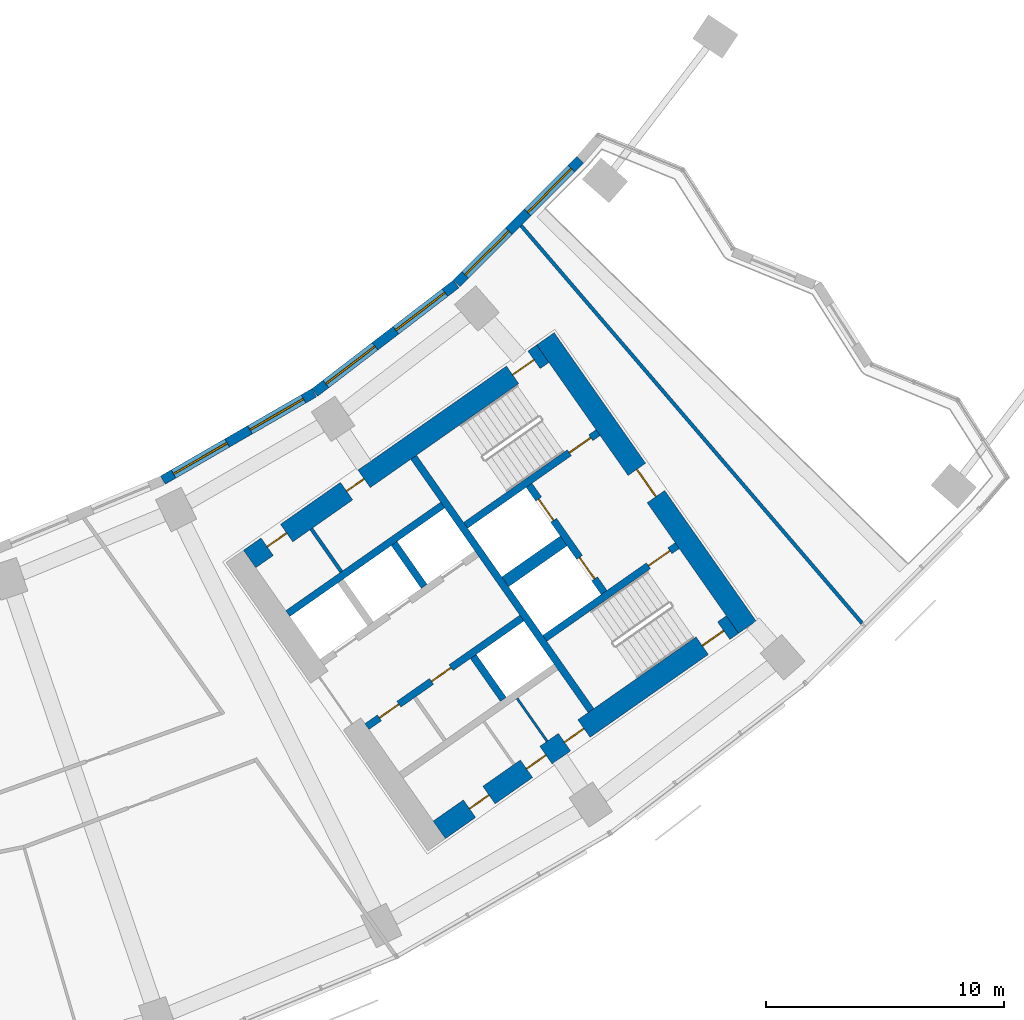
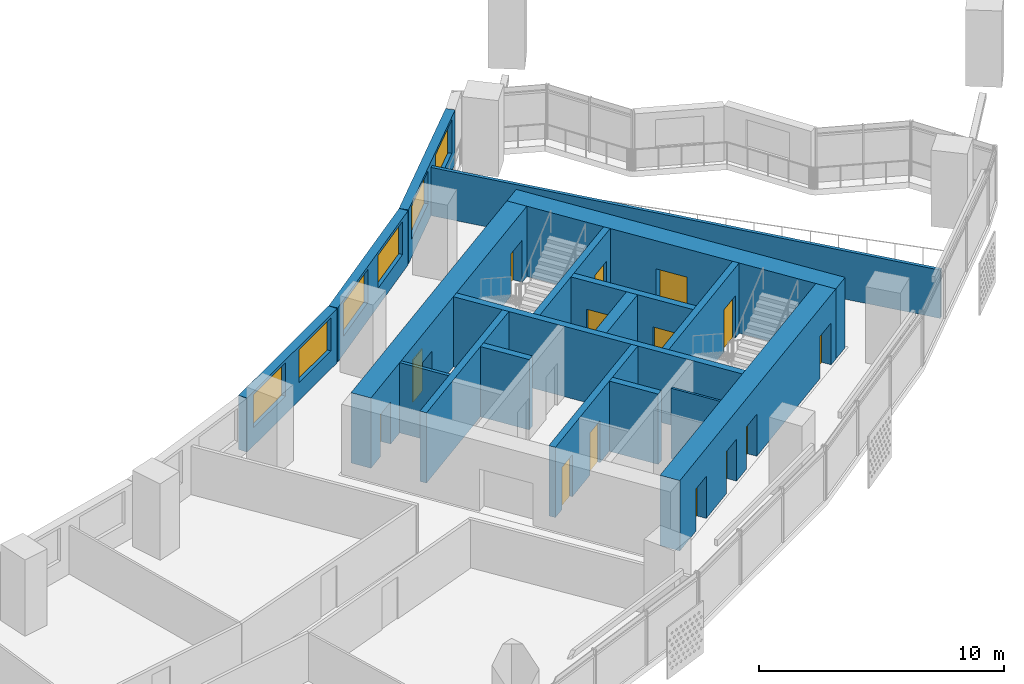
# One storey, part 7 of 30: 18 walls, 14 doors, 6 windows, 20 openings.
"""IFC4 building model written with IfcOpenShell, lengths in metres."""

from ifc_helpers import new_model, si_unit, direction, frame, frame_2d, origin, place, context, subcontext, project, spatial, rectangle, extrude, material, layer, layer_set, type_object, element, fill, save


model = new_model("IFC4")

# Units and contexts
model_context = context("Model", 3, precision=1e-05, world=origin(), true_north=direction((0.0, 1.0)))
body_context = subcontext(model_context, "Body", "Model", "MODEL_VIEW")
ifc_project = project(units=[si_unit("LENGTHUNIT", "METRE"), si_unit("AREAUNIT", "SQUARE_METRE"), si_unit("VOLUMEUNIT", "CUBIC_METRE"), si_unit("PLANEANGLEUNIT", "RADIAN"), si_unit("MASSUNIT", "GRAM", prefix="KILO")], contexts=[model_context])

# Site, building, storey
site_placement = place(None, origin())
site = spatial("IfcSite", under=ifc_project, at=site_placement, CompositionType="ELEMENT")
building_placement = place(site_placement, origin())
building = spatial("IfcBuilding", under=site, at=building_placement, Name="Qamariyya Broadcast Tower", CompositionType="ELEMENT")
storey_placement = place(building_placement, frame((0.0, 0.0, 98.699951171875)))
storey = spatial("IfcBuildingStorey", under=building, at=storey_placement, Name="L21", CompositionType="ELEMENT", Elevation=98.699951171875)

# Wall, opening, door
ifc_material_1 = material(Name="Concrete C70/85", Category="concrete")
ifc_layer_1 = layer(ifc_material_1, 0.89990234375)
ifc_layer_set_1 = layer_set([ifc_layer_1], Name="Core wall 900 mm Concrete C70/85")
wall_type_1 = type_object("IfcWallType", Name="Core wall 900 mm Concrete C70/85", PredefinedType="SHEAR", material=ifc_layer_set_1)
wall_1_placement = place(storey_placement, frame((49.778564453125, -57.191162109375, 0.0), z_axis=(0.0, 0.0, 1.0), x_axis=(-0.573577477574, 0.819151315216, 0.0)))
wall_1 = element("IfcWall", 1, at=wall_1_placement, inside=storey, type_object=wall_type_1, Name="k-E-L21-WH", PredefinedType="SHEAR", context=body_context, shape_type="SweptSolid", body=[
    extrude(rectangle(XDim=14.800048828125, YDim=0.89990234375, at=frame_2d((7.39990234375, 0.0))), origin(), (0.0, 0.0, 1.0), 3.5),
])
opening_1_placement = place(wall_1_placement, frame((6.699951171875, 0.0, 0.0)))
opening_1 = element("IfcOpeningElement", 2, at=opening_1_placement, cuts=wall_1, Name="Opening KD2-E1", PredefinedType="OPENING", context=body_context, shape_type="SweptSolid", body=[
    extrude(rectangle(XDim=1.39990234375, YDim=2.10009765625, at=frame_2d((0.699951171875, 1.050048828125))), frame((0.0, 0.4599609375, 0.0), z_axis=(0.0, -1.0, 0.0), x_axis=(1.0, 0.0, 0.0)), (0.0, 0.0, 1.0), 0.919921875),
])
ifc_material_2 = material(Name="Steel fire-resisting door leaf", Category="steel")
door_type_1 = type_object("IfcDoorType", Name="Fire-fighting lobby door KD2", OperationType="DOUBLE_DOOR_SINGLE_SWING", PredefinedType="DOOR", material=ifc_material_2)
door_1_placement = place(opening_1_placement, origin())
door_1 = element("IfcDoor", 3, at=door_1_placement, inside=storey, type_object=door_type_1, Name="k-E-L21-WH-D14", OperationType="DOUBLE_DOOR_SINGLE_SWING", OverallHeight=2.10009765625, OverallWidth=1.39990234375, PredefinedType="DOOR", context=body_context, shape_type="SweptSolid", body=[
    extrude(rectangle(XDim=1.39990234375, YDim=2.10009765625, at=frame_2d((0.699951171875, 1.050048828125))), frame((0.0, 0.02490234375, 0.0), z_axis=(0.0, -1.0, 0.0), x_axis=(1.0, 0.0, 0.0)), (0.0, 0.0, 1.0), 0.050048828125),
])
fill(opening_1, door_1)

# Wall, openings, doors
wall_2_placement = place(storey_placement, frame((28.8544921875, -54.32421875, 0.0), z_axis=(0.0, 0.0, 1.0), x_axis=(0.819145767589, 0.573585400304, 0.0)))
wall_2 = element("IfcWall", 4, at=wall_2_placement, inside=storey, type_object=wall_type_1, Name="k-E-L21-WI", PredefinedType="SHEAR", context=body_context, shape_type="SweptSolid", body=[
    extrude(rectangle(XDim=15.04541015625, YDim=0.89990234375, at=frame_2d((7.522705078125, 0.0))), origin(), (0.0, 0.0, 1.0), 3.5),
])
opening_2_placement = place(wall_2_placement, frame((0.89990234375, 0.0, 0.0)))
opening_2 = element("IfcOpeningElement", 5, at=opening_2_placement, cuts=wall_2, Name="Opening KD7-E1", PredefinedType="OPENING", context=body_context, shape_type="SweptSolid", body=[
    extrude(rectangle(XDim=1.0, YDim=2.10009765625, at=frame_2d((0.5, 1.050048828125))), frame((0.0, 0.4599609375, 0.0), z_axis=(0.0, -1.0, 0.0), x_axis=(1.0, 0.0, 0.0)), (0.0, 0.0, 1.0), 0.919921875),
])
opening_3_placement = place(wall_2_placement, frame((4.97509765625, 0.0, 0.0)))
opening_3 = element("IfcOpeningElement", 6, at=opening_3_placement, cuts=wall_2, Name="Opening KD5-E1", PredefinedType="OPENING", context=body_context, shape_type="SweptSolid", body=[
    extrude(rectangle(XDim=0.89990234375, YDim=2.10009765625, at=frame_2d((0.449951171875, 1.050048828125))), frame((0.0, 0.4599609375, 0.0), z_axis=(0.0, -1.0, 0.0), x_axis=(1.0, 0.0, 0.0)), (0.0, 0.0, 1.0), 0.919921875),
])
opening_4_placement = place(wall_2_placement, frame((13.495361328125, 0.0, 0.0)))
opening_4 = element("IfcOpeningElement", 7, at=opening_4_placement, cuts=wall_2, Name="Opening KD1-E1", PredefinedType="OPENING", context=body_context, shape_type="SweptSolid", body=[
    extrude(rectangle(XDim=1.10009765625, YDim=2.10009765625, at=frame_2d((0.550048828125, 1.050048828125))), frame((0.0, 0.4599609375, 0.0), z_axis=(0.0, -1.0, 0.0), x_axis=(1.0, 0.0, 0.0)), (0.0, 0.0, 1.0), 0.919921875),
])
door_type_2 = type_object("IfcDoorType", Name="Accessible toilet door KD7", OperationType="SINGLE_SWING_LEFT", PredefinedType="DOOR", material=ifc_material_2)
door_2_placement = place(opening_2_placement, origin())
door_2 = element("IfcDoor", 8, at=door_2_placement, inside=storey, type_object=door_type_2, Name="k-E-L21-WI-D7", OperationType="SINGLE_SWING_LEFT", OverallHeight=2.10009765625, OverallWidth=1.0, PredefinedType="DOOR", context=body_context, shape_type="SweptSolid", body=[
    extrude(rectangle(XDim=1.0, YDim=2.10009765625, at=frame_2d((0.5, 1.050048828125))), frame((0.0, 0.02490234375, 0.0), z_axis=(0.0, -1.0, 0.0), x_axis=(1.0, 0.0, 0.0)), (0.0, 0.0, 1.0), 0.050048828125),
])
fill(opening_2, door_2)
door_type_3 = type_object("IfcDoorType", Name="Stair door KD1", OperationType="SINGLE_SWING_LEFT", PredefinedType="DOOR", material=ifc_material_2)
door_3_placement = place(opening_4_placement, origin())
door_3 = element("IfcDoor", 9, at=door_3_placement, inside=storey, type_object=door_type_3, Name="k-E-L21-WI-D15", OperationType="SINGLE_SWING_RIGHT", OverallHeight=2.10009765625, OverallWidth=1.10009765625, PredefinedType="DOOR", context=body_context, shape_type="SweptSolid", body=[
    extrude(rectangle(XDim=1.10009765625, YDim=2.10009765625, at=frame_2d((0.550048828125, 1.050048828125))), frame((0.0, 0.02490234375, 0.0), z_axis=(0.0, -1.0, 0.0), x_axis=(1.0, 0.0, 0.0)), (0.0, 0.0, 1.0), 0.050048828125),
])
fill(opening_4, door_3)
door_type_4 = type_object("IfcDoorType", Name="Toilet door KD5", OperationType="SINGLE_SWING_LEFT", PredefinedType="DOOR", material=ifc_material_2)
door_4_placement = place(opening_3_placement, origin())
door_4 = element("IfcDoor", 10, at=door_4_placement, inside=storey, type_object=door_type_4, Name="k-E-L21-WI-D8", OperationType="SINGLE_SWING_RIGHT", OverallHeight=2.10009765625, OverallWidth=0.89990234375, PredefinedType="DOOR", context=body_context, shape_type="SweptSolid", body=[
    extrude(rectangle(XDim=0.89990234375, YDim=2.10009765625, at=frame_2d((0.449951171875, 1.050048828125))), frame((0.0, 0.02490234375, 0.0), z_axis=(0.0, -1.0, 0.0), x_axis=(1.0, 0.0, 0.0)), (0.0, 0.0, 1.0), 0.050048828125),
])
fill(opening_3, door_4)

wall_3_placement = place(storey_placement, frame((36.827392578125, -65.710205078125, 0.0), z_axis=(0.0, 0.0, 1.0), x_axis=(0.819153391756, 0.573574511963, 0.0)))
wall_3 = element("IfcWall", 11, at=wall_3_placement, inside=storey, type_object=wall_type_1, Name="k-E-L21-WO", PredefinedType="SHEAR", context=body_context, shape_type="SweptSolid", body=[
    extrude(rectangle(XDim=15.04541015625, YDim=0.89990234375, at=frame_2d((7.522705078125, 0.0))), origin(), (0.0, 0.0, 1.0), 3.5),
])
opening_5_placement = place(wall_3_placement, frame((1.550048828125, 0.0, 0.0)))
opening_5 = element("IfcOpeningElement", 12, at=opening_5_placement, cuts=wall_3, Name="Opening KD4-E2", PredefinedType="OPENING", context=body_context, shape_type="SweptSolid", body=[
    extrude(rectangle(XDim=1.0, YDim=2.10009765625, at=frame_2d((0.5, 1.050048828125))), frame((0.0, 0.4599609375, 0.0), z_axis=(0.0, -1.0, 0.0), x_axis=(1.0, 0.0, 0.0)), (0.0, 0.0, 1.0), 0.919921875),
])
opening_6_placement = place(wall_3_placement, frame((4.47509765625, 0.0, 0.0)))
opening_6 = element("IfcOpeningElement", 13, at=opening_6_placement, cuts=wall_3, Name="Opening KD4-E3", PredefinedType="OPENING", context=body_context, shape_type="SweptSolid", body=[
    extrude(rectangle(XDim=1.0, YDim=2.10009765625, at=frame_2d((0.5, 1.050048828125))), frame((0.0, 0.4599609375, 0.0), z_axis=(0.0, -1.0, 0.0), x_axis=(1.0, 0.0, 0.0)), (0.0, 0.0, 1.0), 0.919921875),
])
opening_7_placement = place(wall_3_placement, frame((6.425048828125, 0.0, 0.0)))
opening_7 = element("IfcOpeningElement", 14, at=opening_7_placement, cuts=wall_3, Name="Opening KD4-E4", PredefinedType="OPENING", context=body_context, shape_type="SweptSolid", body=[
    extrude(rectangle(XDim=1.0, YDim=2.10009765625, at=frame_2d((0.5, 1.050048828125))), frame((0.0, 0.4599609375, 0.0), z_axis=(0.0, -1.0, 0.0), x_axis=(1.0, 0.0, 0.0)), (0.0, 0.0, 1.0), 0.919921875),
])
opening_8_placement = place(wall_3_placement, frame((13.495361328125, 0.0, 0.0)))
opening_8 = element("IfcOpeningElement", 15, at=opening_8_placement, cuts=wall_3, Name="Opening KD1-E3", PredefinedType="OPENING", context=body_context, shape_type="SweptSolid", body=[
    extrude(rectangle(XDim=1.10009765625, YDim=2.10009765625, at=frame_2d((0.550048828125, 1.050048828125))), frame((0.0, 0.4599609375, 0.0), z_axis=(0.0, -1.0, 0.0), x_axis=(1.0, 0.0, 0.0)), (0.0, 0.0, 1.0), 0.919921875),
])
door_type_5 = type_object("IfcDoorType", Name="Riser and plant door KD4", OperationType="SINGLE_SWING_LEFT", PredefinedType="DOOR", material=ifc_material_2)
door_5_placement = place(opening_5_placement, origin())
door_5 = element("IfcDoor", 16, at=door_5_placement, inside=storey, type_object=door_type_5, Name="k-E-L21-WO-D9", OperationType="SINGLE_SWING_LEFT", OverallHeight=2.10009765625, OverallWidth=1.0, PredefinedType="DOOR", context=body_context, shape_type="SweptSolid", body=[
    extrude(rectangle(XDim=1.0, YDim=2.10009765625, at=frame_2d((0.5, 1.050048828125))), frame((0.0, 0.02490234375, 0.0), z_axis=(0.0, -1.0, 0.0), x_axis=(1.0, 0.0, 0.0)), (0.0, 0.0, 1.0), 0.050048828125),
])
fill(opening_5, door_5)
door_6_placement = place(opening_6_placement, origin())
door_6 = element("IfcDoor", 17, at=door_6_placement, inside=storey, type_object=door_type_5, Name="k-E-L21-WO-D10", OperationType="SINGLE_SWING_RIGHT", OverallHeight=2.10009765625, OverallWidth=1.0, PredefinedType="DOOR", context=body_context, shape_type="SweptSolid", body=[
    extrude(rectangle(XDim=1.0, YDim=2.10009765625, at=frame_2d((0.5, 1.050048828125))), frame((0.0, 0.02490234375, 0.0), z_axis=(0.0, -1.0, 0.0), x_axis=(1.0, 0.0, 0.0)), (0.0, 0.0, 1.0), 0.050048828125),
])
fill(opening_6, door_6)
door_7_placement = place(opening_7_placement, origin())
door_7 = element("IfcDoor", 18, at=door_7_placement, inside=storey, type_object=door_type_5, Name="k-E-L21-WO-D11", OperationType="SINGLE_SWING_LEFT", OverallHeight=2.10009765625, OverallWidth=1.0, PredefinedType="DOOR", context=body_context, shape_type="SweptSolid", body=[
    extrude(rectangle(XDim=1.0, YDim=2.10009765625, at=frame_2d((0.5, 1.050048828125))), frame((0.0, 0.02490234375, 0.0), z_axis=(0.0, -1.0, 0.0), x_axis=(1.0, 0.0, 0.0)), (0.0, 0.0, 1.0), 0.050048828125),
])
fill(opening_7, door_7)
door_8_placement = place(opening_8_placement, origin())
door_8 = element("IfcDoor", 19, at=door_8_placement, inside=storey, type_object=door_type_3, Name="k-E-L21-WO-D17", OperationType="SINGLE_SWING_LEFT", OverallHeight=2.10009765625, OverallWidth=1.10009765625, PredefinedType="DOOR", context=body_context, shape_type="SweptSolid", body=[
    extrude(rectangle(XDim=1.10009765625, YDim=2.10009765625, at=frame_2d((0.550048828125, 1.050048828125))), frame((0.0, 0.02490234375, 0.0), z_axis=(0.0, -1.0, 0.0), x_axis=(1.0, 0.0, 0.0)), (0.0, 0.0, 1.0), 0.050048828125),
])
fill(opening_8, door_8)

# Walls
ifc_material_3 = material(Name="Gypsum board partition")
ifc_layer_2 = layer(ifc_material_3, 0.14990234375)
ifc_layer_set_2 = layer_set([ifc_layer_2], Name="Corridor partition 150 EI 60")
wall_type_2 = type_object("IfcWallType", Name="Corridor partition 150 EI 60", PredefinedType="PARTITIONING", material=ifc_layer_set_2)
wall_4_placement = place(storey_placement, frame((40.267578125, -40.310791015625, 0.0), z_axis=(0.0, 0.0, 1.0), x_axis=(0.650987681244, -0.759088294514, 0.0)))
element("IfcWall", 20, at=wall_4_placement, inside=storey, type_object=wall_type_2, Name="Partition L21-033", PredefinedType="PARTITIONING", context=body_context, shape_type="SweptSolid", body=[
    extrude(rectangle(XDim=22.017822265625, YDim=0.14990234375, at=frame_2d((11.0087890625, 0.0))), origin(), (0.0, 0.0, 1.0), 2.400146484375),
])
ifc_material_4 = material(Name="Concrete C60/75", Category="concrete")
ifc_layer_3 = layer(ifc_material_4, 0.5)
ifc_layer_set_3 = layer_set([ifc_layer_3], Name="Fire-fighting lobby divider wall 500 mm Concrete C60/75")
wall_type_3 = type_object("IfcWallType", Name="Fire-fighting lobby divider wall 500 mm Concrete C60/75", PredefinedType="SOLIDWALL", material=ifc_layer_set_3)
wall_5_placement = place(storey_placement, frame((39.59912109375, -55.28515625, 0.0), z_axis=(0.0, 0.0, 1.0), x_axis=(0.819136323161, 0.573598887793, 0.0)))
element("IfcWall", 21, at=wall_5_placement, inside=storey, type_object=wall_type_3, Name="k-E-L21-FD", PredefinedType="SOLIDWALL", context=body_context, shape_type="SweptSolid", body=[
    extrude(rectangle(XDim=2.999755859375, YDim=0.5, at=frame_2d((1.5, 0.0))), origin(), (0.0, 0.0, 1.0), 3.5),
])
ifc_material_5 = material(Name="Gypsum board partition on steel studs", Category="steel")
ifc_layer_4 = layer(ifc_material_5, 0.14990234375)
ifc_layer_set_4 = layer_set([ifc_layer_4], Name="Gypsum board partition 150 mm")
wall_type_4 = type_object("IfcWallType", Name="Gypsum board partition 150 mm", PredefinedType="PARTITIONING", material=ifc_layer_set_4)
wall_6_placement = place(storey_placement, frame((32.709228515625, -54.860107421875, 0.0), z_axis=(0.0, 0.0, 1.0), x_axis=(-0.573633636671, 0.819111989218, 0.0)))
element("IfcWall", 22, at=wall_6_placement, inside=storey, type_object=wall_type_4, Name="k-E-L21-NP285", PredefinedType="PARTITIONING", context=body_context, shape_type="SweptSolid", body=[
    extrude(rectangle(XDim=2.199951171875, YDim=0.14990234375, at=frame_2d((1.10009765625, 0.0))), origin(), (0.0, 0.0, 1.0), 3.5),
])
ifc_layer_5 = layer(ifc_material_4, 0.300048828125)
ifc_layer_set_5 = layer_set([ifc_layer_5], Name="Lift shaft wall 300 mm Concrete C60/75")
wall_type_5 = type_object("IfcWallType", Name="Lift shaft wall 300 mm Concrete C60/75", PredefinedType="SOLIDWALL", material=ifc_layer_set_5)
wall_7_placement = place(storey_placement, frame((43.204345703125, -60.69580078125, 0.0), z_axis=(0.0, 0.0, 1.0), x_axis=(-0.573571992966, 0.819155155563, 0.0)))
element("IfcWall", 23, at=wall_7_placement, inside=storey, type_object=wall_type_5, Name="k-E-L21-WL", PredefinedType="SOLIDWALL", context=body_context, shape_type="SweptSolid", body=[
    extrude(rectangle(XDim=13.000244140625, YDim=0.300048828125, at=frame_2d((6.5, 0.0))), origin(), (0.0, 0.0, 1.0), 3.5),
])
wall_8_placement = place(storey_placement, frame((30.460693359375, -56.61767578125, 0.0), z_axis=(0.0, 0.0, 1.0), x_axis=(0.819142461705, 0.573590121456, 0.0)))
element("IfcWall", 24, at=wall_8_placement, inside=storey, type_object=wall_type_5, Name="k-E-L21-NB0", PredefinedType="SOLIDWALL", context=body_context, shape_type="SweptSolid", body=[
    extrude(rectangle(XDim=7.949951171875, YDim=0.300048828125, at=frame_2d((3.97509765625, 0.0))), origin(), (0.0, 0.0, 1.0), 3.5),
])
wall_9_placement = place(storey_placement, frame((36.19091796875, -55.47412109375, 0.0), z_axis=(0.0, 0.0, 1.0), x_axis=(-0.573507030513, 0.819200638399, 0.0)))
element("IfcWall", 25, at=wall_9_placement, inside=storey, type_object=wall_type_5, Name="k-E-L21-ND1", PredefinedType="SOLIDWALL", context=body_context, shape_type="SweptSolid", body=[
    extrude(rectangle(XDim=2.199951171875, YDim=0.300048828125, at=frame_2d((1.10009765625, 0.0))), origin(), (0.0, 0.0, 1.0), 3.5),
])

# Wall, openings, doors
wall_10_placement = place(storey_placement, frame((33.787353515625, -61.368896484375, 0.0), z_axis=(0.0, 0.0, 1.0), x_axis=(0.819152564888, 0.573575692858, 0.0)))
wall_10 = element("IfcWall", 26, at=wall_10_placement, inside=storey, type_object=wall_type_5, Name="k-E-L21-SF0", PredefinedType="SOLIDWALL", context=body_context, shape_type="SweptSolid", body=[
    extrude(rectangle(XDim=7.9501953125, YDim=0.300048828125, at=frame_2d((3.97509765625, 0.0))), origin(), (0.0, 0.0, 1.0), 3.5),
])
opening_9_placement = place(wall_10_placement, frame((0.637451171875, 0.0, 0.0)))
opening_9 = element("IfcOpeningElement", 27, at=opening_9_placement, cuts=wall_10, Name="Opening KD6-E1", PredefinedType="OPENING", context=body_context, shape_type="SweptSolid", body=[
    extrude(rectangle(XDim=1.0, YDim=2.10009765625, at=frame_2d((0.5, 1.050048828125))), frame((0.0, 0.159912109375, 0.0), z_axis=(0.0, -1.0, 0.0), x_axis=(1.0, 0.0, 0.0)), (0.0, 0.0, 1.0), 0.320068359375),
])
opening_10_placement = place(wall_10_placement, frame((3.3125, 0.0, 0.0)))
opening_10 = element("IfcOpeningElement", 28, at=opening_10_placement, cuts=wall_10, Name="Opening KD4-E1", PredefinedType="OPENING", context=body_context, shape_type="SweptSolid", body=[
    extrude(rectangle(XDim=1.0, YDim=2.10009765625, at=frame_2d((0.5, 1.050048828125))), frame((0.0, 0.159912109375, 0.0), z_axis=(0.0, -1.0, 0.0), x_axis=(1.0, 0.0, 0.0)), (0.0, 0.0, 1.0), 0.320068359375),
])
door_type_6 = type_object("IfcDoorType", Name="Core room door KD6", OperationType="SINGLE_SWING_LEFT", PredefinedType="DOOR", material=ifc_material_2)
door_9_placement = place(opening_9_placement, origin())
door_9 = element("IfcDoor", 29, at=door_9_placement, inside=storey, type_object=door_type_6, Name="k-E-L21-SF0-D5", OperationType="SINGLE_SWING_LEFT", OverallHeight=2.10009765625, OverallWidth=1.0, PredefinedType="DOOR", context=body_context, shape_type="SweptSolid", body=[
    extrude(rectangle(XDim=1.0, YDim=2.10009765625, at=frame_2d((0.5, 1.050048828125))), frame((0.0, 0.02490234375, 0.0), z_axis=(0.0, -1.0, 0.0), x_axis=(1.0, 0.0, 0.0)), (0.0, 0.0, 1.0), 0.050048828125),
])
fill(opening_9, door_9)
door_10_placement = place(opening_10_placement, origin())
door_10 = element("IfcDoor", 30, at=door_10_placement, inside=storey, type_object=door_type_5, Name="k-E-L21-SF0-D6", OperationType="SINGLE_SWING_RIGHT", OverallHeight=2.10009765625, OverallWidth=1.0, PredefinedType="DOOR", context=body_context, shape_type="SweptSolid", body=[
    extrude(rectangle(XDim=1.0, YDim=2.10009765625, at=frame_2d((0.5, 1.050048828125))), frame((0.0, 0.02490234375, 0.0), z_axis=(0.0, -1.0, 0.0), x_axis=(1.0, 0.0, 0.0)), (0.0, 0.0, 1.0), 0.050048828125),
])
fill(opening_10, door_10)

# Wall
wall_11_placement = place(storey_placement, frame((38.255859375, -58.423095703125, 0.0), z_axis=(0.0, 0.0, 1.0), x_axis=(0.573633636671, -0.819111989218, 0.0)))
element("IfcWall", 31, at=wall_11_placement, inside=storey, type_object=wall_type_5, Name="k-E-L21-SD1", PredefinedType="SOLIDWALL", context=body_context, shape_type="SweptSolid", body=[
    extrude(rectangle(XDim=2.199951171875, YDim=0.300048828125, at=frame_2d((1.10009765625, 0.0))), origin(), (0.0, 0.0, 1.0), 3.5),
])

# Wall, opening, door
wall_12_placement = place(storey_placement, frame((37.935546875, -52.90966796875, 0.0), z_axis=(0.0, 0.0, 1.0), x_axis=(0.819147518138, 0.57358290031, 0.0)))
wall_12 = element("IfcWall", 32, at=wall_12_placement, inside=storey, type_object=wall_type_5, Name="k-E-L21-NW", PredefinedType="SOLIDWALL", context=body_context, shape_type="SweptSolid", body=[
    extrude(rectangle(XDim=6.79541015625, YDim=0.300048828125, at=frame_2d((3.397705078125, 0.0))), origin(), (0.0, 0.0, 1.0), 3.5),
])
opening_11_placement = place(wall_12_placement, frame((5.3203125, 0.0, 0.0)))
opening_11 = element("IfcOpeningElement", 33, at=opening_11_placement, cuts=wall_12, Name="Opening KD1-E2", PredefinedType="OPENING", context=body_context, shape_type="SweptSolid", body=[
    extrude(rectangle(XDim=1.10009765625, YDim=2.10009765625, at=frame_2d((0.550048828125, 1.050048828125))), frame((0.0, 0.159912109375, 0.0), z_axis=(0.0, -1.0, 0.0), x_axis=(1.0, 0.0, 0.0)), (0.0, 0.0, 1.0), 0.320068359375),
])
door_11_placement = place(opening_11_placement, origin())
door_11 = element("IfcDoor", 34, at=door_11_placement, inside=storey, type_object=door_type_3, Name="k-E-L21-NW-D16", OperationType="SINGLE_SWING_RIGHT", OverallHeight=2.10009765625, OverallWidth=1.10009765625, PredefinedType="DOOR", context=body_context, shape_type="SweptSolid", body=[
    extrude(rectangle(XDim=1.10009765625, YDim=2.10009765625, at=frame_2d((0.550048828125, 1.050048828125))), frame((0.0, 0.02490234375, 0.0), z_axis=(0.0, -1.0, 0.0), x_axis=(1.0, 0.0, 0.0)), (0.0, 0.0, 1.0), 0.050048828125),
])
fill(opening_11, door_11)

wall_13_placement = place(storey_placement, frame((41.262451171875, -57.66064453125, 0.0), z_axis=(0.0, 0.0, 1.0), x_axis=(0.819164398642, 0.573558792102, 0.0)))
wall_13 = element("IfcWall", 35, at=wall_13_placement, inside=storey, type_object=wall_type_5, Name="k-E-L21-SW", PredefinedType="SOLIDWALL", context=body_context, shape_type="SweptSolid", body=[
    extrude(rectangle(XDim=6.795166015625, YDim=0.300048828125, at=frame_2d((3.3974609375, 0.0))), origin(), (0.0, 0.0, 1.0), 3.5),
])
opening_12_placement = place(wall_13_placement, frame((5.3203125, 0.0, 0.0)))
opening_12 = element("IfcOpeningElement", 36, at=opening_12_placement, cuts=wall_13, Name="Opening KD1-E4", PredefinedType="OPENING", context=body_context, shape_type="SweptSolid", body=[
    extrude(rectangle(XDim=1.10009765625, YDim=2.10009765625, at=frame_2d((0.550048828125, 1.050048828125))), frame((0.0, 0.159912109375, 0.0), z_axis=(0.0, -1.0, 0.0), x_axis=(1.0, 0.0, 0.0)), (0.0, 0.0, 1.0), 0.320068359375),
])
door_12_placement = place(opening_12_placement, origin())
door_12 = element("IfcDoor", 37, at=door_12_placement, inside=storey, type_object=door_type_3, Name="k-E-L21-SW-D18", OperationType="SINGLE_SWING_RIGHT", OverallHeight=2.10009765625, OverallWidth=1.10009765625, PredefinedType="DOOR", context=body_context, shape_type="SweptSolid", body=[
    extrude(rectangle(XDim=1.10009765625, YDim=2.10009765625, at=frame_2d((0.550048828125, 1.050048828125))), frame((0.0, 0.02490234375, 0.0), z_axis=(0.0, -1.0, 0.0), x_axis=(1.0, 0.0, 0.0)), (0.0, 0.0, 1.0), 0.050048828125),
])
fill(opening_12, door_12)

# Wall, openings, doors
wall_14_placement = place(storey_placement, frame((43.756591796875, -55.731201171875, 0.0), z_axis=(0.0, 0.0, 1.0), x_axis=(-0.573536818435, 0.819179783625, 0.0)))
wall_14 = element("IfcWall", 38, at=wall_14_placement, inside=storey, type_object=wall_type_5, Name="k-E-L21-FF", PredefinedType="SOLIDWALL", context=body_context, shape_type="SweptSolid", body=[
    extrude(rectangle(XDim=5.500244140625, YDim=0.300048828125, at=frame_2d((2.75, 0.0))), origin(), (0.0, 0.0, 1.0), 3.5),
])
opening_13_placement = place(wall_14_placement, frame((0.699951171875, 0.0, 0.0)))
opening_13 = element("IfcOpeningElement", 39, at=opening_13_placement, cuts=wall_14, Name="Opening LD", PredefinedType="OPENING", context=body_context, shape_type="SweptSolid", body=[
    extrude(rectangle(XDim=1.10009765625, YDim=2.10009765625, at=frame_2d((0.550048828125, 1.050048828125))), frame((0.0, 0.159912109375, 0.0), z_axis=(0.0, -1.0, 0.0), x_axis=(1.0, 0.0, 0.0)), (0.0, 0.0, 1.0), 0.320068359375),
])
opening_14_placement = place(wall_14_placement, frame((3.699951171875, 0.0, 0.0)))
opening_14 = element("IfcOpeningElement", 40, at=opening_14_placement, cuts=wall_14, Name="Opening LD", PredefinedType="OPENING", context=body_context, shape_type="SweptSolid", body=[
    extrude(rectangle(XDim=1.10009765625, YDim=2.10009765625, at=frame_2d((0.550048828125, 1.050048828125))), frame((0.0, 0.159912109375, 0.0), z_axis=(0.0, -1.0, 0.0), x_axis=(1.0, 0.0, 0.0)), (0.0, 0.0, 1.0), 0.320068359375),
])
door_type_7 = type_object("IfcDoorType", Name="Lift landing door LD", OperationType="DOUBLE_DOOR_SLIDING", PredefinedType="DOOR", material=ifc_material_2)
door_13_placement = place(opening_13_placement, origin())
door_13 = element("IfcDoor", 41, at=door_13_placement, inside=storey, type_object=door_type_7, Name="k-E-L21-FF-D12", OperationType="DOUBLE_DOOR_SLIDING", OverallHeight=2.10009765625, OverallWidth=1.10009765625, PredefinedType="DOOR", context=body_context, shape_type="SweptSolid", body=[
    extrude(rectangle(XDim=1.10009765625, YDim=2.10009765625, at=frame_2d((0.550048828125, 1.050048828125))), frame((0.0, 0.02490234375, 0.0), z_axis=(0.0, -1.0, 0.0), x_axis=(1.0, 0.0, 0.0)), (0.0, 0.0, 1.0), 0.050048828125),
])
fill(opening_13, door_13)
door_14_placement = place(opening_14_placement, origin())
door_14 = element("IfcDoor", 42, at=door_14_placement, inside=storey, type_object=door_type_7, Name="k-E-L21-FF-D13", OperationType="DOUBLE_DOOR_SLIDING", OverallHeight=2.10009765625, OverallWidth=1.10009765625, PredefinedType="DOOR", context=body_context, shape_type="SweptSolid", body=[
    extrude(rectangle(XDim=1.10009765625, YDim=2.10009765625, at=frame_2d((0.550048828125, 1.050048828125))), frame((0.0, 0.02490234375, 0.0), z_axis=(0.0, -1.0, 0.0), x_axis=(1.0, 0.0, 0.0)), (0.0, 0.0, 1.0), 0.050048828125),
])
fill(opening_14, door_14)

# Wall
ifc_material_6 = material(Name="Fire-rated gypsum shaft liner on steel studs", Category="steel")
ifc_layer_6 = layer(ifc_material_6, 0.10009765625)
ifc_layer_set_6 = layer_set([ifc_layer_6], Name="Riser wall 100 mm")
wall_type_6 = type_object("IfcWallType", Name="Riser wall 100 mm", PredefinedType="PLUMBINGWALL", material=ifc_layer_set_6)
wall_15_placement = place(storey_placement, frame((40.099365234375, -60.18408203125, 0.0), z_axis=(0.0, 0.0, 1.0), x_axis=(0.573633636671, -0.819111989218, 0.0)))
element("IfcWall", 43, at=wall_15_placement, inside=storey, type_object=wall_type_6, Name="k-E-L21-SP585", PredefinedType="PLUMBINGWALL", context=body_context, shape_type="SweptSolid", body=[
    extrude(rectangle(XDim=2.199951171875, YDim=0.10009765625, at=frame_2d((1.10009765625, 0.0))), origin(), (0.0, 0.0, 1.0), 3.5),
])

# Wall, openings, windows
ifc_material_7 = material(Name="Terracotta", Category="masonry")
ifc_layer_7 = layer(ifc_material_7, 0.39990234375)
ifc_layer_set_7 = layer_set([ifc_layer_7], Name="Terracotta clad wall 400")
wall_type_7 = type_object("IfcWallType", Name="Terracotta clad wall 400", PredefinedType="SOLIDWALL", material=ifc_layer_set_7)
wall_16_placement = place(storey_placement, frame((31.568359375, -47.33642578125, 0.0), z_axis=(0.0, 0.0, 1.0), x_axis=(-0.866030525931, -0.499991128077, 0.0)))
wall_16 = element("IfcWall", 44, at=wall_16_placement, inside=storey, type_object=wall_type_7, Name="e-wl-L21-in130", PredefinedType="SOLIDWALL", context=body_context, shape_type="SweptSolid", body=[
    extrude(rectangle(XDim=7.341552734375, YDim=0.39990234375, at=frame_2d((3.6708984375, 0.0))), origin(), (0.0, 0.0, 1.0), 2.699951171875),
])
opening_15_placement = place(wall_16_placement, frame((4.224853515625, 0.0, 0.89990234375)))
opening_15 = element("IfcOpeningElement", 45, at=opening_15_placement, cuts=wall_16, Name="Opening W1", PredefinedType="OPENING", context=body_context, shape_type="SweptSolid", body=[
    extrude(rectangle(XDim=2.60009765625, YDim=1.64990234375, at=frame_2d((1.300048828125, 0.824951171875))), frame((0.0, 0.2099609375, 0.0), z_axis=(0.0, -1.0, 0.0), x_axis=(1.0, 0.0, 0.0)), (0.0, 0.0, 1.0), 0.419921875),
])
opening_16_placement = place(wall_16_placement, frame((0.5166015625, 0.0, 0.89990234375)))
opening_16 = element("IfcOpeningElement", 46, at=opening_16_placement, cuts=wall_16, Name="Opening W1", PredefinedType="OPENING", context=body_context, shape_type="SweptSolid", body=[
    extrude(rectangle(XDim=2.60009765625, YDim=1.64990234375, at=frame_2d((1.300048828125, 0.824951171875))), frame((0.0, 0.2099609375, 0.0), z_axis=(0.0, -1.0, 0.0), x_axis=(1.0, 0.0, 0.0)), (0.0, 0.0, 1.0), 0.419921875),
])
ifc_material_8 = material(Name="Clear low-e double glazed unit in aluminium frame", Category="aluminium")
window_type = type_object("IfcWindowType", Name="Ribbon window 2600 x 1650", PartitioningType="SINGLE_PANEL", PredefinedType="WINDOW", material=ifc_material_8)
window_1_placement = place(opening_15_placement, origin())
window_1 = element("IfcWindow", 47, at=window_1_placement, inside=storey, type_object=window_type, Name="e-w-L21-in13-0", OverallHeight=1.64990234375, OverallWidth=2.60009765625, PartitioningType="SINGLE_PANEL", PredefinedType="WINDOW", context=body_context, shape_type="SweptSolid", body=[
    extrude(rectangle(XDim=2.60009765625, YDim=1.64990234375, at=frame_2d((1.300048828125, 0.824951171875))), frame((0.0, 0.030029296875, 0.0), z_axis=(0.0, -1.0, 0.0), x_axis=(1.0, 0.0, 0.0)), (0.0, 0.0, 1.0), 0.06005859375),
])
fill(opening_15, window_1)
window_2_placement = place(opening_16_placement, origin())
window_2 = element("IfcWindow", 48, at=window_2_placement, inside=storey, type_object=window_type, Name="e-w-L21-in13-1", OverallHeight=1.64990234375, OverallWidth=2.60009765625, PartitioningType="SINGLE_PANEL", PredefinedType="WINDOW", context=body_context, shape_type="SweptSolid", body=[
    extrude(rectangle(XDim=2.60009765625, YDim=1.64990234375, at=frame_2d((1.300048828125, 0.824951171875))), frame((0.0, 0.030029296875, 0.0), z_axis=(0.0, -1.0, 0.0), x_axis=(1.0, 0.0, 0.0)), (0.0, 0.0, 1.0), 0.06005859375),
])
fill(opening_16, window_2)

wall_17_placement = place(storey_placement, frame((37.536865234375, -42.764892578125, 0.0), z_axis=(0.0, 0.0, 1.0), x_axis=(-0.793363487476, -0.608748204711, 0.0)))
wall_17 = element("IfcWall", 49, at=wall_17_placement, inside=storey, type_object=wall_type_7, Name="e-wl-L21-in140", PredefinedType="SOLIDWALL", context=body_context, shape_type="SweptSolid", body=[
    extrude(rectangle(XDim=7.492919921875, YDim=0.39990234375, at=frame_2d((3.74658203125, 0.0))), origin(), (0.0, 0.0, 1.0), 2.699951171875),
])
opening_17_placement = place(wall_17_placement, frame((4.300537109375, 0.0, 0.89990234375)))
opening_17 = element("IfcOpeningElement", 50, at=opening_17_placement, cuts=wall_17, Name="Opening W1", PredefinedType="OPENING", context=body_context, shape_type="SweptSolid", body=[
    extrude(rectangle(XDim=2.60009765625, YDim=1.64990234375, at=frame_2d((1.300048828125, 0.824951171875))), frame((0.0, 0.2099609375, 0.0), z_axis=(0.0, -1.0, 0.0), x_axis=(1.0, 0.0, 0.0)), (0.0, 0.0, 1.0), 0.419921875),
])
opening_18_placement = place(wall_17_placement, frame((0.59228515625, 0.0, 0.89990234375)))
opening_18 = element("IfcOpeningElement", 51, at=opening_18_placement, cuts=wall_17, Name="Opening W1", PredefinedType="OPENING", context=body_context, shape_type="SweptSolid", body=[
    extrude(rectangle(XDim=2.60009765625, YDim=1.64990234375, at=frame_2d((1.300048828125, 0.824951171875))), frame((0.0, 0.2099609375, 0.0), z_axis=(0.0, -1.0, 0.0), x_axis=(1.0, 0.0, 0.0)), (0.0, 0.0, 1.0), 0.419921875),
])
window_3_placement = place(opening_17_placement, origin())
window_3 = element("IfcWindow", 52, at=window_3_placement, inside=storey, type_object=window_type, Name="e-w-L21-in14-0", OverallHeight=1.64990234375, OverallWidth=2.60009765625, PartitioningType="SINGLE_PANEL", PredefinedType="WINDOW", context=body_context, shape_type="SweptSolid", body=[
    extrude(rectangle(XDim=2.60009765625, YDim=1.64990234375, at=frame_2d((1.300048828125, 0.824951171875))), frame((0.0, 0.030029296875, 0.0), z_axis=(0.0, -1.0, 0.0), x_axis=(1.0, 0.0, 0.0)), (0.0, 0.0, 1.0), 0.06005859375),
])
fill(opening_17, window_3)
window_4_placement = place(opening_18_placement, origin())
window_4 = element("IfcWindow", 53, at=window_4_placement, inside=storey, type_object=window_type, Name="e-w-L21-in14-1", OverallHeight=1.64990234375, OverallWidth=2.60009765625, PartitioningType="SINGLE_PANEL", PredefinedType="WINDOW", context=body_context, shape_type="SweptSolid", body=[
    extrude(rectangle(XDim=2.60009765625, YDim=1.64990234375, at=frame_2d((1.300048828125, 0.824951171875))), frame((0.0, 0.030029296875, 0.0), z_axis=(0.0, -1.0, 0.0), x_axis=(1.0, 0.0, 0.0)), (0.0, 0.0, 1.0), 0.06005859375),
])
fill(opening_18, window_4)

wall_18_placement = place(storey_placement, frame((42.7548828125, -37.542236328125, 0.0), z_axis=(0.0, 0.0, 1.0), x_axis=(-0.707106781187, -0.707106781187, 0.0)))
wall_18 = element("IfcWall", 54, at=wall_18_placement, inside=storey, type_object=wall_type_7, Name="e-wl-L21-in150", PredefinedType="SOLIDWALL", context=body_context, shape_type="SweptSolid", body=[
    extrude(rectangle(XDim=7.356689453125, YDim=0.39990234375, at=frame_2d((3.67822265625, 0.0))), origin(), (0.0, 0.0, 1.0), 2.699951171875),
])
opening_19_placement = place(wall_18_placement, frame((4.239990234375, 0.0, 0.89990234375)))
opening_19 = element("IfcOpeningElement", 55, at=opening_19_placement, cuts=wall_18, Name="Opening W1", PredefinedType="OPENING", context=body_context, shape_type="SweptSolid", body=[
    extrude(rectangle(XDim=2.60009765625, YDim=1.64990234375, at=frame_2d((1.300048828125, 0.824951171875))), frame((0.0, 0.2099609375, 0.0), z_axis=(0.0, -1.0, 0.0), x_axis=(1.0, 0.0, 0.0)), (0.0, 0.0, 1.0), 0.419921875),
])
opening_20_placement = place(wall_18_placement, frame((0.53173828125, 0.0, 0.89990234375)))
opening_20 = element("IfcOpeningElement", 56, at=opening_20_placement, cuts=wall_18, Name="Opening W1", PredefinedType="OPENING", context=body_context, shape_type="SweptSolid", body=[
    extrude(rectangle(XDim=2.60009765625, YDim=1.64990234375, at=frame_2d((1.300048828125, 0.824951171875))), frame((0.0, 0.2099609375, 0.0), z_axis=(0.0, -1.0, 0.0), x_axis=(1.0, 0.0, 0.0)), (0.0, 0.0, 1.0), 0.419921875),
])
window_5_placement = place(opening_19_placement, origin())
window_5 = element("IfcWindow", 57, at=window_5_placement, inside=storey, type_object=window_type, Name="e-w-L21-in15-0", OverallHeight=1.64990234375, OverallWidth=2.60009765625, PartitioningType="SINGLE_PANEL", PredefinedType="WINDOW", context=body_context, shape_type="SweptSolid", body=[
    extrude(rectangle(XDim=2.60009765625, YDim=1.64990234375, at=frame_2d((1.300048828125, 0.824951171875))), frame((0.0, 0.030029296875, 0.0), z_axis=(0.0, -1.0, 0.0), x_axis=(1.0, 0.0, 0.0)), (0.0, 0.0, 1.0), 0.06005859375),
])
fill(opening_19, window_5)
window_6_placement = place(opening_20_placement, origin())
window_6 = element("IfcWindow", 58, at=window_6_placement, inside=storey, type_object=window_type, Name="e-w-L21-in15-1", OverallHeight=1.64990234375, OverallWidth=2.60009765625, PartitioningType="SINGLE_PANEL", PredefinedType="WINDOW", context=body_context, shape_type="SweptSolid", body=[
    extrude(rectangle(XDim=2.60009765625, YDim=1.64990234375, at=frame_2d((1.300048828125, 0.824951171875))), frame((0.0, 0.030029296875, 0.0), z_axis=(0.0, -1.0, 0.0), x_axis=(1.0, 0.0, 0.0)), (0.0, 0.0, 1.0), 0.06005859375),
])
fill(opening_20, window_6)

save(model, "model.ifc")
